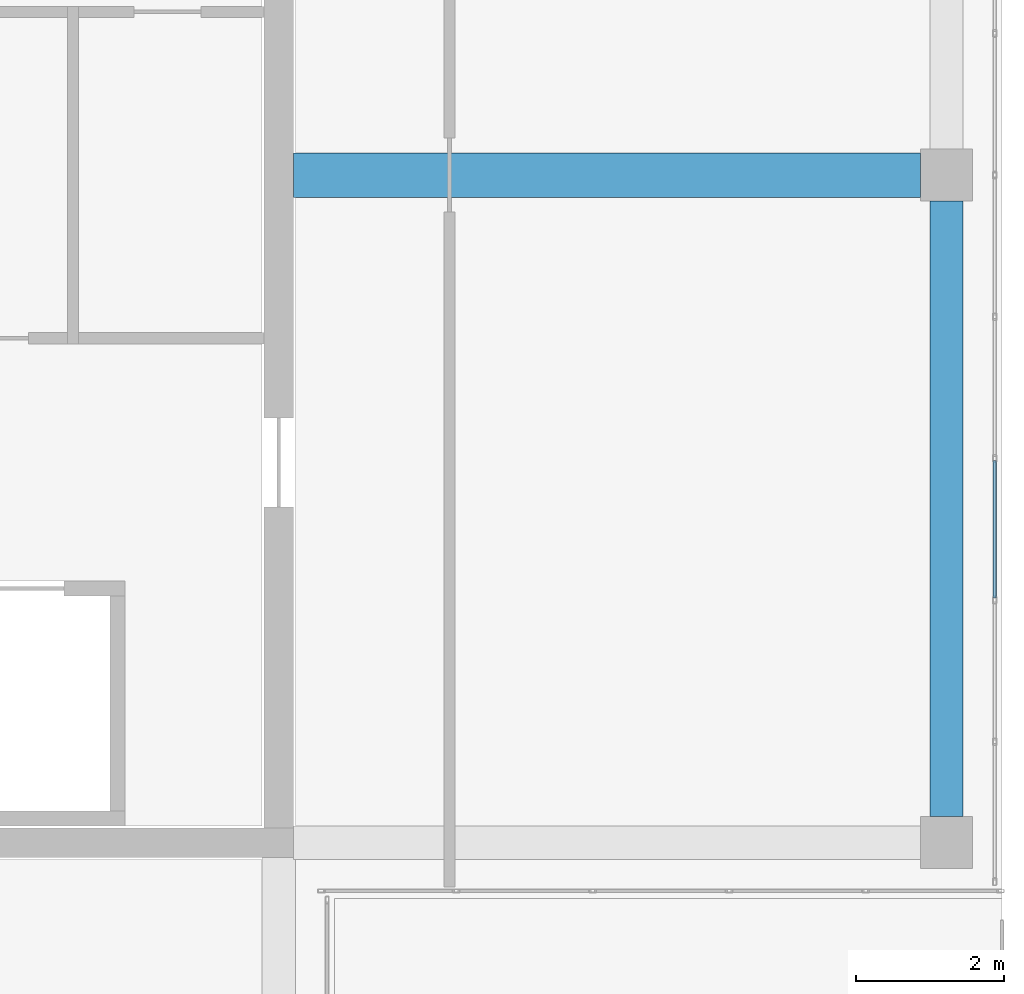
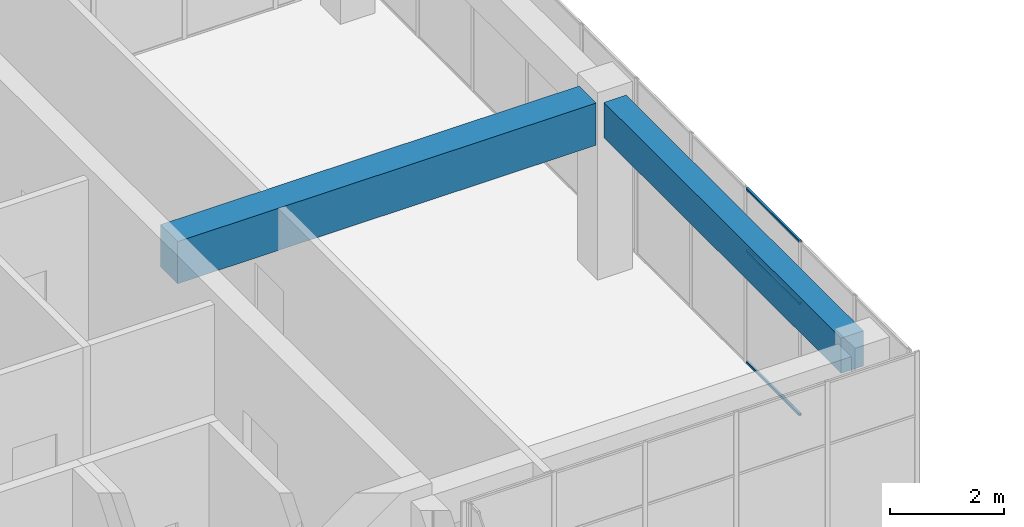
# One storey, part 25 of 49: 3 members, 2 beams, 1 element without a shape of its own.
"""IFC4 building model written with IfcOpenShell, lengths in metres."""

from ifc_helpers import new_model, si_unit, direction, frame, origin, origin_2d, place, context, subcontext, project, spatial, rectangle, hollow_rectangle, extrude, material, layer, layer_set, material_profile, profile_set, type_object, element, aggregate, save


model = new_model("IFC4")

# Units and contexts
model_context = context("Model", 3, precision=1e-05, world=origin(), true_north=direction((0.0, 1.0)))
body_context = subcontext(model_context, "Body", "Model", "MODEL_VIEW")
ifc_project = project(units=[si_unit("LENGTHUNIT", "METRE"), si_unit("AREAUNIT", "SQUARE_METRE"), si_unit("VOLUMEUNIT", "CUBIC_METRE"), si_unit("PLANEANGLEUNIT", "RADIAN"), si_unit("MASSUNIT", "GRAM", prefix="KILO")], contexts=[model_context])

# Site, building, storey
site_placement = place(None, origin())
site = spatial("IfcSite", under=ifc_project, at=site_placement, CompositionType="ELEMENT")
building_placement = place(site_placement, origin())
building = spatial("IfcBuilding", under=site, at=building_placement, Name="Tuart Plaza Theatre", CompositionType="ELEMENT")
storey_placement = place(building_placement, frame((0.0, 0.0, 29.5)))
storey = spatial("IfcBuildingStorey", under=building, at=storey_placement, Name="L07", CompositionType="ELEMENT", Elevation=29.5)

# Beams
ifc_material_1 = material(Name="Concrete N40 (40 MPa)", Category="concrete")
ifc_material_profile_1 = material_profile(ifc_material_1, rectangle(XDim=0.449951171875, YDim=0.75, at=origin_2d()), Name="BEAM 450x750 Concrete N40 (40 MPa)")
ifc_profile_set_1 = profile_set([ifc_material_profile_1], Name="Concrete N40 (40 MPa)")
beam_type_1 = type_object("IfcBeamType", Name="BEAM 450x750 Concrete N40 (40 MPa)", PredefinedType="BEAM", material=ifc_profile_set_1)
beam_1_placement = place(storey_placement, frame((150.0, 65.35009765625, 3.375), z_axis=(0.0, 1.0, 0.0), x_axis=(-1.0, 0.0, 0.0)))
element("IfcBeam", 1, at=beam_1_placement, inside=storey, type_object=beam_type_1, Name="RB277", PredefinedType="BEAM", context=body_context, shape_type="SweptSolid", body=[
    extrude(rectangle(XDim=0.449951171875, YDim=0.75, at=origin_2d()), origin(), (0.0, 0.0, 1.0), 8.2998046875),
])
ifc_material_2 = material(Name="Concrete N40 (40 MPa)", Category="concrete")
ifc_material_profile_2 = material_profile(ifc_material_2, rectangle(XDim=0.60009765625, YDim=0.89990234375, at=origin_2d()), Name="BEAM 600x900 Concrete N40 (40 MPa)")
ifc_profile_set_2 = profile_set([ifc_material_profile_2], Name="Concrete N40 (40 MPa)")
beam_type_2 = type_object("IfcBeamType", Name="BEAM 600x900 Concrete N40 (40 MPa)", PredefinedType="BEAM", material=ifc_profile_set_2)
beam_2_placement = place(storey_placement, frame((141.199951171875, 74.0, 3.300048828125), z_axis=(1.0, 0.0, 0.0), x_axis=(0.0, 1.0, 0.0)))
element("IfcBeam", 2, at=beam_2_placement, inside=storey, type_object=beam_type_2, Name="RB275", PredefinedType="BEAM", context=body_context, shape_type="SweptSolid", body=[
    extrude(rectangle(XDim=0.60009765625, YDim=0.89990234375, at=origin_2d()), origin(), (0.0, 0.0, 1.0), 8.449951171875),
])

# Curtain wall, members
ifc_material_3 = material(Name="Aluminium and glass", Category="aluminium")
ifc_layer = layer(ifc_material_3, 0.10009765625)
ifc_layer_set = layer_set([ifc_layer], Name="CURTAIN WALL 2000 module")
curtain_wall_type = type_object("IfcCurtainWallType", Name="CURTAIN WALL 2000 module", PredefinedType="NOTDEFINED", material=ifc_layer_set)
curtain_wall_placement = place(storey_placement, origin())
curtain_wall = element("IfcCurtainWall", 3, at=curtain_wall_placement, inside=storey, type_object=curtain_wall_type, Name="CW92", PredefinedType="NOTDEFINED")
ifc_material_4 = material(Name="Aluminium 6063-T5", Category="aluminium")
ifc_material_profile_3 = material_profile(ifc_material_4, hollow_rectangle(XDim=0.050048828125, YDim=0.050048828125, WallThickness=0.00390625, InnerFilletRadius=0.00390625, OuterFilletRadius=0.008056640625, at=origin_2d()), Name="RHS 50x50x4")
ifc_profile_set_3 = profile_set([ifc_material_profile_3], Name="Aluminium 6063-T5")
member_type = type_object("IfcMemberType", Name="TRANSOM RHS 50x50x4", PredefinedType="USERDEFINED", material=ifc_profile_set_3)
member_1_placement = place(storey_placement, frame((150.64990234375, 68.294921875, 0.02490234375), z_axis=(0.0, 1.0, 0.0), x_axis=(-1.0, 0.0, 0.0)))
member_1 = element("IfcMember", 4, at=member_1_placement, type_object=member_type, Name="CW92 transom 3.1", ObjectType="TRANSOM", PredefinedType="USERDEFINED", context=body_context, shape_type="SweptSolid", body=[
    extrude(hollow_rectangle(XDim=0.050048828125, YDim=0.050048828125, WallThickness=0.00390625, InnerFilletRadius=0.00390625, OuterFilletRadius=0.008056640625, at=origin_2d()), origin(), (0.0, 0.0, 1.0), 1.860107421875),
])
member_2_placement = place(storey_placement, frame((150.64990234375, 68.294921875, 2.39990234375), z_axis=(0.0, 1.0, 0.0), x_axis=(-1.0, 0.0, 0.0)))
member_2 = element("IfcMember", 5, at=member_2_placement, type_object=member_type, Name="CW92 transom 3.2", ObjectType="TRANSOM", PredefinedType="USERDEFINED", context=body_context, shape_type="SweptSolid", body=[
    extrude(hollow_rectangle(XDim=0.050048828125, YDim=0.050048828125, WallThickness=0.00390625, InnerFilletRadius=0.00390625, OuterFilletRadius=0.008056640625, at=origin_2d()), origin(), (0.0, 0.0, 1.0), 1.860107421875),
])
member_3_placement = place(storey_placement, frame((150.64990234375, 68.294921875, 3.72509765625), z_axis=(0.0, 1.0, 0.0), x_axis=(-1.0, 0.0, 0.0)))
member_3 = element("IfcMember", 6, at=member_3_placement, type_object=member_type, Name="CW92 transom 3.3", ObjectType="TRANSOM", PredefinedType="USERDEFINED", context=body_context, shape_type="SweptSolid", body=[
    extrude(hollow_rectangle(XDim=0.050048828125, YDim=0.050048828125, WallThickness=0.00390625, InnerFilletRadius=0.00390625, OuterFilletRadius=0.008056640625, at=origin_2d()), origin(), (0.0, 0.0, 1.0), 1.860107421875),
])
aggregate(curtain_wall, [member_1, member_2, member_3])

save(model, "model.ifc")
